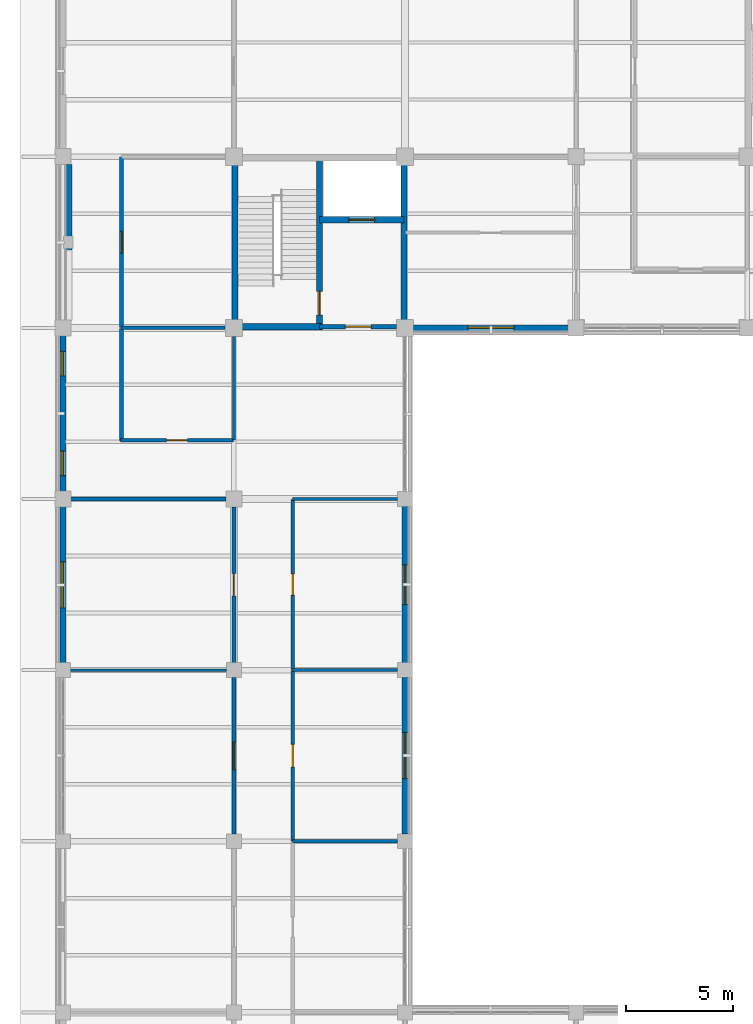
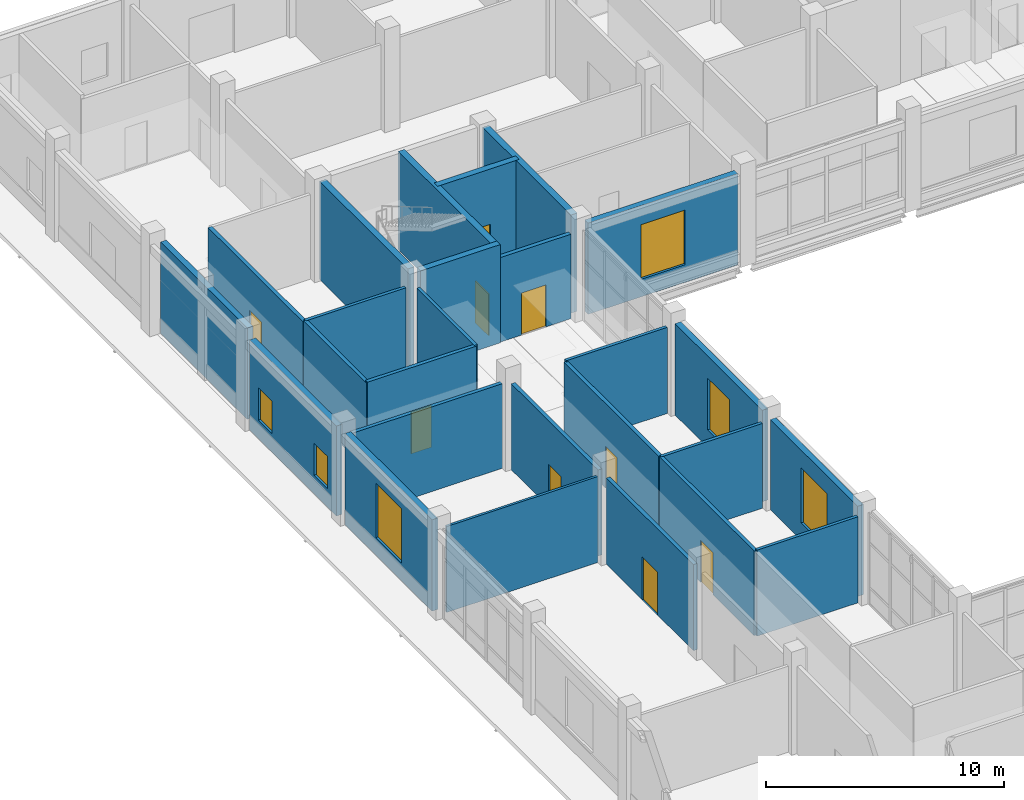
# One storey, part 68 of 105: 26 walls, 9 doors, 6 windows, 15 openings.
"""IFC4 building model written with IfcOpenShell, lengths in metres."""

from ifc_helpers import new_model, si_unit, derived_unit, direction, frame, frame_2d, origin, place, context, subcontext, project, spatial, rectangle, extrude, material, layer, layer_set, type_object, element, fill, save


model = new_model("IFC4")

# Units and contexts
model_context = context("Model", 3, precision=1e-05, world=origin(), true_north=direction((0.0, 1.0)))
body_context = subcontext(model_context, "Body", "Model", "MODEL_VIEW")
ifc_project = project(units=[si_unit("LENGTHUNIT", "METRE"), si_unit("AREAUNIT", "SQUARE_METRE"), si_unit("VOLUMEUNIT", "CUBIC_METRE"), si_unit("PLANEANGLEUNIT", "RADIAN"), si_unit("MASSUNIT", "GRAM", prefix="KILO"), derived_unit("THERMALTRANSMITTANCEUNIT", [(si_unit("MASSUNIT", "GRAM", prefix="KILO"), 1), (si_unit("TIMEUNIT", "SECOND"), -3), (si_unit("THERMODYNAMICTEMPERATUREUNIT", "KELVIN"), -1)])], contexts=[model_context])

# Site, building, storey
site_placement = place(None, origin())
site = spatial("IfcSite", under=ifc_project, at=site_placement, CompositionType="ELEMENT")
building_placement = place(site_placement, origin())
building = spatial("IfcBuilding", under=site, at=building_placement, Name="Veyamyaing Civic Hall", CompositionType="ELEMENT")
storey_placement = place(building_placement, origin())
storey = spatial("IfcBuildingStorey", under=building, at=storey_placement, Name="L00", CompositionType="ELEMENT", Elevation=0.0)

# Wall, opening, window
ifc_material_1 = material(Name="Precast concrete C40/50", Category="concrete")
ifc_layer_1 = layer(ifc_material_1, 0.280029296875, Name="Precast concrete C40/50")
ifc_layer_set_1 = layer_set([ifc_layer_1], Name="Precast concrete C40/50")
wall_type_1 = type_object("IfcWallType", Name="WT-04", PredefinedType="SOLIDWALL", material=ifc_layer_set_1)
wall_1_placement = place(storey_placement, frame((0.0, 72.3349609375, 0.0), z_axis=(0.0, 0.0, 1.0), x_axis=(0.0, 1.0, 0.0)))
wall_1 = element("IfcWall", 1, at=wall_1_placement, inside=storey, type_object=wall_type_1, Name="Exterior facade wall WT-04 L00 W 1.10", PredefinedType="SOLIDWALL", context=body_context, shape_type="SweptSolid", body=[
    extrude(rectangle(XDim=7.304931640625, YDim=0.280029296875, at=frame_2d((3.65234375, 0.0))), origin(), (0.0, 0.0, 1.0), 4.674072265625),
])
opening_1_placement = place(wall_1_placement, frame((2.577392578125, 0.0, 0.89990234375)))
opening_1 = element("IfcOpeningElement", 2, at=opening_1_placement, cuts=wall_1, Name="Opening W-02", PredefinedType="OPENING", context=body_context, shape_type="SweptSolid", body=[
    extrude(rectangle(XDim=2.14990234375, YDim=2.800048828125, at=frame_2d((1.074951171875, 1.39990234375))), frame((0.0, 0.14990234375, 0.0), z_axis=(0.0, -1.0, 0.0), x_axis=(1.0, 0.0, 0.0)), (0.0, 0.0, 1.0), 0.300048828125),
])
ifc_material_2 = material(Name="Low-E insulated glass", Category="glass")
window_type_1 = type_object("IfcWindowType", Name="W-02", PartitioningType="SINGLE_PANEL", PredefinedType="WINDOW", material=ifc_material_2)
window_1_placement = place(opening_1_placement, origin())
window_1 = element("IfcWindow", 3, at=window_1_placement, inside=storey, type_object=window_type_1, Name="Facade window W-02 L00 W 1.10", OverallHeight=2.800048828125, OverallWidth=2.14990234375, PartitioningType="SINGLE_PANEL", PredefinedType="WINDOW", context=body_context, shape_type="SweptSolid", body=[
    extrude(rectangle(XDim=2.14990234375, YDim=2.800048828125, at=frame_2d((1.074951171875, 1.39990234375))), frame((0.0, 0.030029296875, 0.0), z_axis=(0.0, -1.0, 0.0), x_axis=(1.0, 0.0, 0.0)), (0.0, 0.0, 1.0), 0.06005859375),
])
fill(opening_1, window_1)

# Wall, openings, windows
wall_2_placement = place(storey_placement, frame((0.0, 80.360107421875, 0.0), z_axis=(0.0, 0.0, 1.0), x_axis=(0.0, 1.0, 0.0)))
wall_2 = element("IfcWall", 4, at=wall_2_placement, inside=storey, type_object=wall_type_1, Name="Exterior facade wall WT-04 L00 W 1.11", PredefinedType="SOLIDWALL", context=body_context, shape_type="SweptSolid", body=[
    extrude(rectangle(XDim=7.27978515625, YDim=0.280029296875, at=frame_2d((3.639892578125, 0.0))), origin(), (0.0, 0.0, 1.0), 4.614013671875),
])
opening_2_placement = place(wall_2_placement, frame((0.7353515625, 0.0, 0.949951171875)))
opening_2 = element("IfcOpeningElement", 5, at=opening_2_placement, cuts=wall_2, Name="Opening W-32", PredefinedType="OPENING", context=body_context, shape_type="SweptSolid", body=[
    extrude(rectangle(XDim=1.14990234375, YDim=1.64990234375, at=frame_2d((0.574951171875, 0.824951171875))), frame((0.0, 0.14990234375, 0.0), z_axis=(0.0, -1.0, 0.0), x_axis=(1.0, 0.0, 0.0)), (0.0, 0.0, 1.0), 0.300048828125),
])
opening_3_placement = place(wall_2_placement, frame((5.39453125, 0.0, 0.949951171875)))
opening_3 = element("IfcOpeningElement", 6, at=opening_3_placement, cuts=wall_2, Name="Opening W-32", PredefinedType="OPENING", context=body_context, shape_type="SweptSolid", body=[
    extrude(rectangle(XDim=1.14990234375, YDim=1.64990234375, at=frame_2d((0.574951171875, 0.824951171875))), frame((0.0, 0.14990234375, 0.0), z_axis=(0.0, -1.0, 0.0), x_axis=(1.0, 0.0, 0.0)), (0.0, 0.0, 1.0), 0.300048828125),
])
window_type_2 = type_object("IfcWindowType", Name="W-32", PartitioningType="SINGLE_PANEL", PredefinedType="WINDOW", material=ifc_material_2)
window_2_placement = place(opening_2_placement, origin())
window_2 = element("IfcWindow", 7, at=window_2_placement, inside=storey, type_object=window_type_2, Name="Facade window W-32 L00 W 1.11.1", OverallHeight=1.64990234375, OverallWidth=1.14990234375, PartitioningType="SINGLE_PANEL", PredefinedType="WINDOW", context=body_context, shape_type="SweptSolid", body=[
    extrude(rectangle(XDim=1.14990234375, YDim=1.64990234375, at=frame_2d((0.574951171875, 0.824951171875))), frame((0.0, 0.030029296875, 0.0), z_axis=(0.0, -1.0, 0.0), x_axis=(1.0, 0.0, 0.0)), (0.0, 0.0, 1.0), 0.06005859375),
])
fill(opening_2, window_2)
window_3_placement = place(opening_3_placement, origin())
window_3 = element("IfcWindow", 8, at=window_3_placement, inside=storey, type_object=window_type_2, Name="Facade window W-32 L00 W 1.11.2", OverallHeight=1.64990234375, OverallWidth=1.14990234375, PartitioningType="SINGLE_PANEL", PredefinedType="WINDOW", context=body_context, shape_type="SweptSolid", body=[
    extrude(rectangle(XDim=1.14990234375, YDim=1.64990234375, at=frame_2d((0.574951171875, 0.824951171875))), frame((0.0, 0.030029296875, 0.0), z_axis=(0.0, -1.0, 0.0), x_axis=(1.0, 0.0, 0.0)), (0.0, 0.0, 1.0), 0.06005859375),
])
fill(opening_3, window_3)

# Wall
wall_3_placement = place(storey_placement, frame((0.300048828125, 88.360107421875, 0.0), z_axis=(0.0, 0.0, 1.0), x_axis=(0.0, 1.0, 0.0)))
element("IfcWall", 9, at=wall_3_placement, inside=storey, type_object=wall_type_1, Name="Exterior facade wall WT-04 L00 W 1.12", PredefinedType="SOLIDWALL", context=body_context, shape_type="SweptSolid", body=[
    extrude(rectangle(XDim=7.27978515625, YDim=0.280029296875, at=frame_2d((3.639892578125, 0.0))), origin(), (0.0, 0.0, 1.0), 4.677001953125),
])

# Wall, opening, window
wall_4_placement = place(storey_placement, frame((16.0, 64.3349609375, 0.0), z_axis=(0.0, 0.0, 1.0), x_axis=(0.0, 1.0, 0.0)))
wall_4 = element("IfcWall", 10, at=wall_4_placement, inside=storey, type_object=wall_type_1, Name="Exterior facade wall WT-04 L00 E 2.9", PredefinedType="SOLIDWALL", context=body_context, shape_type="SweptSolid", body=[
    extrude(rectangle(XDim=7.330078125, YDim=0.280029296875, at=frame_2d((3.6650390625, 0.0))), origin(), (0.0, 0.0, 1.0), 4.618896484375),
])
opening_4_placement = place(wall_4_placement, frame((2.590087890625, 0.0, 0.89990234375)))
opening_4 = element("IfcOpeningElement", 11, at=opening_4_placement, cuts=wall_4, Name="Opening W-02", PredefinedType="OPENING", context=body_context, shape_type="SweptSolid", body=[
    extrude(rectangle(XDim=2.14990234375, YDim=2.800048828125, at=frame_2d((1.074951171875, 1.39990234375))), frame((0.0, 0.14990234375, 0.0), z_axis=(0.0, -1.0, 0.0), x_axis=(1.0, 0.0, 0.0)), (0.0, 0.0, 1.0), 0.300048828125),
])
window_4_placement = place(opening_4_placement, origin())
window_4 = element("IfcWindow", 12, at=window_4_placement, inside=storey, type_object=window_type_1, Name="Facade window W-02 L00 E 2.9", OverallHeight=2.800048828125, OverallWidth=2.14990234375, PartitioningType="SINGLE_PANEL", PredefinedType="WINDOW", context=body_context, shape_type="SweptSolid", body=[
    extrude(rectangle(XDim=2.14990234375, YDim=2.800048828125, at=frame_2d((1.074951171875, 1.39990234375))), frame((0.0, 0.030029296875, 0.0), z_axis=(0.0, -1.0, 0.0), x_axis=(1.0, 0.0, 0.0)), (0.0, 0.0, 1.0), 0.06005859375),
])
fill(opening_4, window_4)

wall_5_placement = place(storey_placement, frame((16.0, 72.3349609375, 0.0), z_axis=(0.0, 0.0, 1.0), x_axis=(0.0, 1.0, 0.0)))
wall_5 = element("IfcWall", 13, at=wall_5_placement, inside=storey, type_object=wall_type_1, Name="Exterior facade wall WT-04 L00 E 2.10", PredefinedType="SOLIDWALL", context=body_context, shape_type="SweptSolid", body=[
    extrude(rectangle(XDim=7.330078125, YDim=0.280029296875, at=frame_2d((3.6650390625, 0.0))), origin(), (0.0, 0.0, 1.0), 4.681884765625),
])
opening_5_placement = place(wall_5_placement, frame((2.739990234375, 0.0, 0.89990234375)))
opening_5 = element("IfcOpeningElement", 14, at=opening_5_placement, cuts=wall_5, Name="Opening W-03", PredefinedType="OPENING", context=body_context, shape_type="SweptSolid", body=[
    extrude(rectangle(XDim=1.85009765625, YDim=2.64990234375, at=frame_2d((0.925048828125, 1.324951171875))), frame((0.0, 0.14990234375, 0.0), z_axis=(0.0, -1.0, 0.0), x_axis=(1.0, 0.0, 0.0)), (0.0, 0.0, 1.0), 0.300048828125),
])
window_type_3 = type_object("IfcWindowType", Name="W-03", PartitioningType="SINGLE_PANEL", PredefinedType="WINDOW", material=ifc_material_2)
window_5_placement = place(opening_5_placement, origin())
window_5 = element("IfcWindow", 15, at=window_5_placement, inside=storey, type_object=window_type_3, Name="Facade window W-03 L00 E 2.10", OverallHeight=2.64990234375, OverallWidth=1.85009765625, PartitioningType="SINGLE_PANEL", PredefinedType="WINDOW", context=body_context, shape_type="SweptSolid", body=[
    extrude(rectangle(XDim=1.85009765625, YDim=2.64990234375, at=frame_2d((0.925048828125, 1.324951171875))), frame((0.0, 0.030029296875, 0.0), z_axis=(0.0, -1.0, 0.0), x_axis=(1.0, 0.0, 0.0)), (0.0, 0.0, 1.0), 0.06005859375),
])
fill(opening_5, window_5)

wall_6_placement = place(storey_placement, frame((16.385009765625, 88.0, 0.0), z_axis=(0.0, 0.0, 1.0), x_axis=(1.0, 0.0, 0.0)))
wall_6 = element("IfcWall", 16, at=wall_6_placement, inside=storey, type_object=wall_type_1, Name="Exterior facade wall WT-04 L00 S 3.12", PredefinedType="SOLIDWALL", context=body_context, shape_type="SweptSolid", body=[
    extrude(rectangle(XDim=7.2548828125, YDim=0.280029296875, at=frame_2d((3.62744140625, 0.0))), origin(), (0.0, 0.0, 1.0), 4.674072265625),
])
opening_6_placement = place(wall_6_placement, frame((2.552490234375, 0.0, 0.89990234375)))
opening_6 = element("IfcOpeningElement", 17, at=opening_6_placement, cuts=wall_6, Name="Opening W-02", PredefinedType="OPENING", context=body_context, shape_type="SweptSolid", body=[
    extrude(rectangle(XDim=2.14990234375, YDim=2.800048828125, at=frame_2d((1.074951171875, 1.39990234375))), frame((0.0, 0.14990234375, 0.0), z_axis=(0.0, -1.0, 0.0), x_axis=(1.0, 0.0, 0.0)), (0.0, 0.0, 1.0), 0.300048828125),
])
window_6_placement = place(opening_6_placement, origin())
window_6 = element("IfcWindow", 18, at=window_6_placement, inside=storey, type_object=window_type_1, Name="Facade window W-02 L00 S 3.12", OverallHeight=2.800048828125, OverallWidth=2.14990234375, PartitioningType="SINGLE_PANEL", PredefinedType="WINDOW", context=body_context, shape_type="SweptSolid", body=[
    extrude(rectangle(XDim=2.14990234375, YDim=2.800048828125, at=frame_2d((1.074951171875, 1.39990234375))), frame((0.0, 0.030029296875, 0.0), z_axis=(0.0, -1.0, 0.0), x_axis=(1.0, 0.0, 0.0)), (0.0, 0.0, 1.0), 0.06005859375),
])
fill(opening_6, window_6)

# Walls
ifc_material_3 = material(Name="Concrete C40/50", Category="concrete")
ifc_layer_2 = layer(ifc_material_3, 0.300048828125, Name="Concrete C40/50")
ifc_layer_set_2 = layer_set([ifc_layer_2], Name="Concrete C40/50")
wall_type_2 = type_object("IfcWallType", Name="WT-05", PredefinedType="SHEAR", material=ifc_layer_set_2)
for number, where, z_axis, x_axis, name in (
    (19, (8.050048828125, 88.2900390625, 0.0), (0.0, 0.0, 1.0), (0.0, 1.0, 0.0), "Core shear wall WT-05 CORE-1 L00.W"),
    (20, (15.949951171875, 88.2900390625, 0.0), (0.0, 0.0, 1.0), (0.0, 1.0, 0.0), "Core shear wall WT-05 CORE-1 L00.E"),
):
    element("IfcWall", number, at=place(storey_placement, frame(where, z_axis=z_axis, x_axis=x_axis)), inside=storey, type_object=wall_type_2, Name=name, PredefinedType="SHEAR", context=body_context, shape_type="SweptSolid", body=[
        extrude(rectangle(XDim=7.419921875, YDim=0.300048828125, at=frame_2d((3.7099609375, 0.0))), origin(), (0.0, 0.0, 1.0), 5.034912109375),
    ])
wall_7_placement = place(storey_placement, frame((8.2900390625, 88.050048828125, 0.0), z_axis=(0.0, 0.0, 1.0), x_axis=(1.0, 0.0, 0.0)))
element("IfcWall", 21, at=wall_7_placement, inside=storey, type_object=wall_type_2, Name="Core shear wall WT-05 CORE-1 L00.SS", PredefinedType="SHEAR", context=body_context, shape_type="SweptSolid", body=[
    extrude(rectangle(XDim=3.85986328125, YDim=0.300048828125, at=frame_2d((1.929931640625, 0.0))), origin(), (0.0, 0.0, 1.0), 5.034912109375),
])

# Wall, opening, door
wall_8_placement = place(storey_placement, frame((12.0, 88.050048828125, 0.0), z_axis=(0.0, 0.0, 1.0), x_axis=(0.0, 1.0, 0.0)))
wall_8 = element("IfcWall", 22, at=wall_8_placement, inside=storey, type_object=wall_type_2, Name="Core shear wall WT-05 CORE-1 L00.MID", PredefinedType="SHEAR", context=body_context, shape_type="SweptSolid", body=[
    extrude(rectangle(XDim=7.89990234375, YDim=0.300048828125, at=frame_2d((3.949951171875, 0.0))), origin(), (0.0, 0.0, 1.0), 5.034912109375),
])
opening_7_placement = place(wall_8_placement, frame((0.550048828125, 0.0, 0.0)))
opening_7 = element("IfcOpeningElement", 23, at=opening_7_placement, cuts=wall_8, Name="Opening D-03", PredefinedType="OPENING", context=body_context, shape_type="SweptSolid", body=[
    extrude(rectangle(XDim=1.10009765625, YDim=2.14990234375, at=frame_2d((0.550048828125, 1.074951171875))), frame((0.0, 0.159912109375, 0.0), z_axis=(0.0, -1.0, 0.0), x_axis=(1.0, 0.0, 0.0)), (0.0, 0.0, 1.0), 0.320068359375),
])
ifc_material_4 = material(Name="Galvanized steel S355J2", Category="steel")
door_type_1 = type_object("IfcDoorType", Name="D-03", OperationType="NOTDEFINED", PredefinedType="DOOR", material=ifc_material_4)
door_1_placement = place(opening_7_placement, frame((1.10009765625, 0.0, 0.0), z_axis=(0.0, 0.0, 1.0), x_axis=(-1.0, 0.0, 0.0)))
door_1 = element("IfcDoor", 24, at=door_1_placement, inside=storey, type_object=door_type_1, Name="Exit stair fire door D-03 ST-01 L00", OperationType="SINGLE_SWING_RIGHT", OverallHeight=2.14990234375, OverallWidth=1.10009765625, PredefinedType="DOOR", context=body_context, shape_type="SweptSolid", body=[
    extrude(rectangle(XDim=1.10009765625, YDim=2.14990234375, at=frame_2d((0.550048828125, 1.074951171875))), frame((0.0, 0.02490234375, 0.0), z_axis=(0.0, -1.0, 0.0), x_axis=(1.0, 0.0, 0.0)), (0.0, 0.0, 1.0), 0.050048828125),
])
fill(opening_7, door_1)

wall_9_placement = place(storey_placement, frame((12.0, 93.050048828125, 0.0), z_axis=(0.0, 0.0, 1.0), x_axis=(1.0, 0.0, 0.0)))
wall_9 = element("IfcWall", 25, at=wall_9_placement, inside=storey, type_object=wall_type_2, Name="Core shear wall WT-05 CORE-1 L00.LFT", PredefinedType="SHEAR", context=body_context, shape_type="SweptSolid", body=[
    extrude(rectangle(XDim=3.949951171875, YDim=0.300048828125, at=frame_2d((1.97509765625, 0.0))), origin(), (0.0, 0.0, 1.0), 5.034912109375),
])
opening_8_placement = place(wall_9_placement, frame((1.375, 0.0, 0.0)))
opening_8 = element("IfcOpeningElement", 26, at=opening_8_placement, cuts=wall_9, Name="Opening LD-02", PredefinedType="OPENING", context=body_context, shape_type="SweptSolid", body=[
    extrude(rectangle(XDim=1.199951171875, YDim=2.199951171875, at=frame_2d((0.60009765625, 1.10009765625))), frame((0.0, 0.159912109375, 0.0), z_axis=(0.0, -1.0, 0.0), x_axis=(1.0, 0.0, 0.0)), (0.0, 0.0, 1.0), 0.320068359375),
])
door_type_2 = type_object("IfcDoorType", Name="LD-02", OperationType="SLIDING_TO_LEFT", PredefinedType="DOOR", material=ifc_material_4)
door_2_placement = place(opening_8_placement, origin())
door_2 = element("IfcDoor", 27, at=door_2_placement, inside=storey, type_object=door_type_2, Name="Lift sliding landing door LD-02 FL-01 L00", OperationType="SLIDING_TO_LEFT", OverallHeight=2.199951171875, OverallWidth=1.199951171875, PredefinedType="DOOR", context=body_context, shape_type="SweptSolid", body=[
    extrude(rectangle(XDim=1.199951171875, YDim=2.199951171875, at=frame_2d((0.60009765625, 1.10009765625))), frame((0.0, 0.02490234375, 0.0), z_axis=(0.0, -1.0, 0.0), x_axis=(1.0, 0.0, 0.0)), (0.0, 0.0, 1.0), 0.050048828125),
])
fill(opening_8, door_2)

ifc_layer_3 = layer(ifc_material_3, 0.199951171875, Name="Concrete C40/50")
ifc_layer_set_3 = layer_set([ifc_layer_3], Name="Concrete C40/50")
wall_type_3 = type_object("IfcWallType", Name="WT-06", PredefinedType="PARTITIONING", material=ifc_layer_set_3)
wall_10_placement = place(storey_placement, frame((12.0, 88.050048828125, 0.0), z_axis=(0.0, 0.0, 1.0), x_axis=(1.0, 0.0, 0.0)))
wall_10 = element("IfcWall", 28, at=wall_10_placement, inside=storey, type_object=wall_type_3, Name="Firefighting lift lobby wall WT-06 CORE-1 L00", PredefinedType="PARTITIONING", context=body_context, shape_type="SweptSolid", body=[
    extrude(rectangle(XDim=3.610107421875, YDim=0.199951171875, at=frame_2d((1.80517578125, 0.0))), origin(), (0.0, 0.0, 1.0), 4.326904296875),
])
opening_9_placement = place(wall_10_placement, frame((1.205078125, 0.0, 0.0)))
opening_9 = element("IfcOpeningElement", 29, at=opening_9_placement, cuts=wall_10, Name="Opening D-04", PredefinedType="OPENING", context=body_context, shape_type="SweptSolid", body=[
    extrude(rectangle(XDim=1.199951171875, YDim=2.14990234375, at=frame_2d((0.60009765625, 1.074951171875))), frame((0.0, 0.10986328125, 0.0), z_axis=(0.0, -1.0, 0.0), x_axis=(1.0, 0.0, 0.0)), (0.0, 0.0, 1.0), 0.219970703125),
])
door_type_3 = type_object("IfcDoorType", Name="D-04", OperationType="NOTDEFINED", PredefinedType="DOOR", material=ifc_material_4)
door_3_placement = place(opening_9_placement, frame((1.199951171875, 0.0, 0.0), z_axis=(0.0, 0.0, 1.0), x_axis=(-1.0, 0.0, 0.0)))
door_3 = element("IfcDoor", 30, at=door_3_placement, inside=storey, type_object=door_type_3, Name="Protected lobby fire door D-04 CORE-1 L00", OperationType="SINGLE_SWING_LEFT", OverallHeight=2.14990234375, OverallWidth=1.199951171875, PredefinedType="DOOR", context=body_context, shape_type="SweptSolid", body=[
    extrude(rectangle(XDim=1.199951171875, YDim=2.14990234375, at=frame_2d((0.60009765625, 1.074951171875))), frame((0.0, 0.02490234375, 0.0), z_axis=(0.0, -1.0, 0.0), x_axis=(1.0, 0.0, 0.0)), (0.0, 0.0, 1.0), 0.050048828125),
])
fill(opening_9, door_3)

ifc_material_5 = material(Name="Gypsum board on acoustic steel stud", Category="steel")
ifc_layer_4 = layer(ifc_material_5, 0.175048828125, Name="Gypsum board on acoustic steel stud")
ifc_layer_set_4 = layer_set([ifc_layer_4], Name="Gypsum board on acoustic steel stud")
wall_type_4 = type_object("IfcWallType", Name="WT-07", PredefinedType="PARTITIONING", material=ifc_layer_set_4)
wall_11_placement = place(storey_placement, frame((2.699951171875, 82.75, 0.0), z_axis=(0.0, 0.0, 1.0), x_axis=(1.0, 0.0, 0.0)))
wall_11 = element("IfcWall", 31, at=wall_11_placement, inside=storey, type_object=wall_type_4, Name="Corridor gallery partition WT-07 L00.1.1", PredefinedType="PARTITIONING", context=body_context, shape_type="SweptSolid", body=[
    extrude(rectangle(XDim=5.280029296875, YDim=0.175048828125, at=frame_2d((2.64013671875, 0.0))), origin(), (0.0, 0.0, 1.0), 4.470947265625),
])
opening_10_placement = place(wall_11_placement, frame((2.14990234375, 0.0, 0.0)))
opening_10 = element("IfcOpeningElement", 32, at=opening_10_placement, cuts=wall_11, Name="Opening D-14", PredefinedType="OPENING", context=body_context, shape_type="SweptSolid", body=[
    extrude(rectangle(XDim=0.97998046875, YDim=2.14990234375, at=frame_2d((0.489990234375, 1.074951171875))), frame((0.0, 0.097412109375, 0.0), z_axis=(0.0, -1.0, 0.0), x_axis=(1.0, 0.0, 0.0)), (0.0, 0.0, 1.0), 0.195068359375),
])
ifc_material_6 = material(Name="Teak-veneered acoustic timber", Category="wood")
door_type_4 = type_object("IfcDoorType", Name="D-14", OperationType="NOTDEFINED", PredefinedType="DOOR", material=ifc_material_6)
door_4_placement = place(opening_10_placement, origin())
door_4 = element("IfcDoor", 33, at=door_4_placement, inside=storey, type_object=door_type_4, Name="Gallery office door D-14 L00.1", OperationType="SINGLE_SWING_RIGHT", OverallHeight=2.14990234375, OverallWidth=0.97998046875, PredefinedType="DOOR", context=body_context, shape_type="SweptSolid", body=[
    extrude(rectangle(XDim=0.97998046875, YDim=2.14990234375, at=frame_2d((0.489990234375, 1.074951171875))), frame((0.0, 0.02490234375, 0.0), z_axis=(0.0, -1.0, 0.0), x_axis=(1.0, 0.0, 0.0)), (0.0, 0.0, 1.0), 0.050048828125),
])
fill(opening_10, door_4)

# Wall
wall_12_placement = place(storey_placement, frame((2.75, 82.699951171875, 0.0), z_axis=(0.0, 0.0, 1.0), x_axis=(0.0, 1.0, 0.0)))
element("IfcWall", 34, at=wall_12_placement, inside=storey, type_object=wall_type_4, Name="Corridor gallery partition WT-07 L00.1.2", PredefinedType="PARTITIONING", context=body_context, shape_type="SweptSolid", body=[
    extrude(rectangle(XDim=5.280029296875, YDim=0.175048828125, at=frame_2d((2.64013671875, 0.0))), origin(), (0.0, 0.0, 1.0), 4.404052734375),
])

# Wall, opening, door
wall_13_placement = place(storey_placement, frame((10.75, 64.02001953125, 0.0), z_axis=(0.0, 0.0, 1.0), x_axis=(0.0, 1.0, 0.0)))
wall_13 = element("IfcWall", 35, at=wall_13_placement, inside=storey, type_object=wall_type_4, Name="Corridor gallery partition WT-07 L00.9.1", PredefinedType="PARTITIONING", context=body_context, shape_type="SweptSolid", body=[
    extrude(rectangle(XDim=7.9599609375, YDim=0.175048828125, at=frame_2d((3.97998046875, 0.0))), origin(), (0.0, 0.0, 1.0), 4.341064453125),
])
opening_11_placement = place(wall_13_placement, frame((3.455078125, 0.0, 0.0)))
opening_11 = element("IfcOpeningElement", 36, at=opening_11_placement, cuts=wall_13, Name="Opening D-12", PredefinedType="OPENING", context=body_context, shape_type="SweptSolid", body=[
    extrude(rectangle(XDim=1.050048828125, YDim=2.14990234375, at=frame_2d((0.52490234375, 1.074951171875))), frame((0.0, 0.097412109375, 0.0), z_axis=(0.0, -1.0, 0.0), x_axis=(1.0, 0.0, 0.0)), (0.0, 0.0, 1.0), 0.195068359375),
])
door_type_5 = type_object("IfcDoorType", Name="D-12", OperationType="NOTDEFINED", PredefinedType="DOOR", material=ifc_material_6)
door_5_placement = place(opening_11_placement, frame((1.050048828125, 0.0, 0.0), z_axis=(0.0, 0.0, 1.0), x_axis=(-1.0, 0.0, 0.0)))
door_5 = element("IfcDoor", 37, at=door_5_placement, inside=storey, type_object=door_type_5, Name="Gallery office door D-12 L00.9", OperationType="SINGLE_SWING_RIGHT", OverallHeight=2.14990234375, OverallWidth=1.050048828125, PredefinedType="DOOR", context=body_context, shape_type="SweptSolid", body=[
    extrude(rectangle(XDim=1.050048828125, YDim=2.14990234375, at=frame_2d((0.52490234375, 1.074951171875))), frame((0.0, 0.02490234375, 0.0), z_axis=(0.0, -1.0, 0.0), x_axis=(1.0, 0.0, 0.0)), (0.0, 0.0, 1.0), 0.050048828125),
])
fill(opening_11, door_5)

# Walls
wall_14_placement = place(storey_placement, frame((0.364990234375, 80.0, 0.0), z_axis=(0.0, 0.0, 1.0), x_axis=(1.0, 0.0, 0.0)))
element("IfcWall", 38, at=wall_14_placement, inside=storey, type_object=wall_type_4, Name="Interior partition wall WT-07 L00.15", PredefinedType="PARTITIONING", context=body_context, shape_type="SweptSolid", body=[
    extrude(rectangle(XDim=7.27001953125, YDim=0.175048828125, at=frame_2d((3.635009765625, 0.0))), origin(), (0.0, 0.0, 1.0), 4.3359375),
])
ifc_material_7 = material(Name="Gypsum board on steel stud", Category="steel")
ifc_layer_5 = layer(ifc_material_7, 0.14990234375, Name="Gypsum board on steel stud")
ifc_layer_set_5 = layer_set([ifc_layer_5], Name="Gypsum board on steel stud")
wall_type_5 = type_object("IfcWallType", Name="WT-08", PredefinedType="PARTITIONING", material=ifc_layer_set_5)
wall_15_placement = place(storey_placement, frame((2.75, 88.0, 0.0), z_axis=(0.0, 0.0, 1.0), x_axis=(1.0, 0.0, 0.0)))
element("IfcWall", 39, at=wall_15_placement, inside=storey, type_object=wall_type_5, Name="Gallery office end partition WT-08 L00.1.1", PredefinedType="PARTITIONING", context=body_context, shape_type="SweptSolid", body=[
    extrude(rectangle(XDim=4.840087890625, YDim=0.14990234375, at=frame_2d((2.419921875, 0.0))), origin(), (0.0, 0.0, 1.0), 4.404052734375),
])
wall_16_placement = place(storey_placement, frame((8.0, 82.75, 0.0), z_axis=(0.0, 0.0, 1.0), x_axis=(0.0, 1.0, 0.0)))
element("IfcWall", 40, at=wall_16_placement, inside=storey, type_object=wall_type_5, Name="Gallery office end partition WT-08 L00.1.2", PredefinedType="PARTITIONING", context=body_context, shape_type="SweptSolid", body=[
    extrude(rectangle(XDim=4.840087890625, YDim=0.14990234375, at=frame_2d((2.419921875, 0.0))), origin(), (0.0, 0.0, 1.0), 4.470947265625),
])
wall_17_placement = place(storey_placement, frame((10.75, 64.0, 0.0), z_axis=(0.0, 0.0, 1.0), x_axis=(1.0, 0.0, 0.0)))
element("IfcWall", 41, at=wall_17_placement, inside=storey, type_object=wall_type_5, Name="Gallery office end partition WT-08 L00.8.2", PredefinedType="PARTITIONING", context=body_context, shape_type="SweptSolid", body=[
    extrude(rectangle(XDim=4.889892578125, YDim=0.14990234375, at=frame_2d((2.44482421875, 0.0))), origin(), (0.0, 0.0, 1.0), 4.407958984375),
])
wall_18_placement = place(storey_placement, frame((10.75, 72.0, 0.0), z_axis=(0.0, 0.0, 1.0), x_axis=(1.0, 0.0, 0.0)))
element("IfcWall", 42, at=wall_18_placement, inside=storey, type_object=wall_type_5, Name="Gallery office end partition WT-08 L00.9.2", PredefinedType="PARTITIONING", context=body_context, shape_type="SweptSolid", body=[
    extrude(rectangle(XDim=4.889892578125, YDim=0.14990234375, at=frame_2d((2.44482421875, 0.0))), origin(), (0.0, 0.0, 1.0), 4.341064453125),
])
wall_19_placement = place(storey_placement, frame((10.75, 80.0, 0.0), z_axis=(0.0, 0.0, 1.0), x_axis=(1.0, 0.0, 0.0)))
element("IfcWall", 43, at=wall_19_placement, inside=storey, type_object=wall_type_5, Name="Gallery office end partition WT-08 L00.10.2", PredefinedType="PARTITIONING", context=body_context, shape_type="SweptSolid", body=[
    extrude(rectangle(XDim=4.889892578125, YDim=0.14990234375, at=frame_2d((2.44482421875, 0.0))), origin(), (0.0, 0.0, 1.0), 4.408935546875),
])
ifc_layer_6 = layer(ifc_material_7, 0.1201171875, Name="Gypsum board on steel stud")
ifc_layer_set_6 = layer_set([ifc_layer_6], Name="Gypsum board on steel stud")
wall_type_6 = type_object("IfcWallType", Name="WT-16", PredefinedType="PARTITIONING", material=ifc_layer_set_6)
wall_20_placement = place(storey_placement, frame((0.340087890625, 72.0, 0.0), z_axis=(0.0, 0.0, 1.0), x_axis=(1.0, 0.0, 0.0)))
element("IfcWall", 44, at=wall_20_placement, inside=storey, type_object=wall_type_6, Name="Interior partition wall WT-16 L00.13", PredefinedType="PARTITIONING", context=body_context, shape_type="SweptSolid", body=[
    extrude(rectangle(XDim=7.31982421875, YDim=0.1201171875, at=frame_2d((3.659912109375, 0.0))), origin(), (0.0, 0.0, 1.0), 4.403076171875),
])

# Wall, opening, door
ifc_material_8 = material(Name="Gypsum board on double acoustic stud")
ifc_layer_7 = layer(ifc_material_8, 0.18505859375, Name="Gypsum board on double acoustic stud")
ifc_layer_set_7 = layer_set([ifc_layer_7], Name="Gypsum board on double acoustic stud")
wall_type_7 = type_object("IfcWallType", Name="WT-19", PredefinedType="PARTITIONING", material=ifc_layer_set_7)
wall_21_placement = place(storey_placement, frame((2.75, 88.02001953125, 0.0), z_axis=(0.0, 0.0, 1.0), x_axis=(0.0, 1.0, 0.0)))
wall_21 = element("IfcWall", 45, at=wall_21_placement, inside=storey, type_object=wall_type_7, Name="Corridor gallery partition WT-19 L00.2.1", PredefinedType="PARTITIONING", context=body_context, shape_type="SweptSolid", body=[
    extrude(rectangle(XDim=7.9599609375, YDim=0.18505859375, at=frame_2d((3.97998046875, 0.0))), origin(), (0.0, 0.0, 1.0), 4.326904296875),
])
opening_12_placement = place(wall_21_placement, frame((3.469970703125, 0.0, 0.0)))
opening_12 = element("IfcOpeningElement", 46, at=opening_12_placement, cuts=wall_21, Name="Opening D-19", PredefinedType="OPENING", context=body_context, shape_type="SweptSolid", body=[
    extrude(rectangle(XDim=1.02001953125, YDim=2.199951171875, at=frame_2d((0.510009765625, 1.10009765625))), frame((0.0, 0.1025390625, 0.0), z_axis=(0.0, -1.0, 0.0), x_axis=(1.0, 0.0, 0.0)), (0.0, 0.0, 1.0), 0.205078125),
])
door_type_6 = type_object("IfcDoorType", Name="D-19", OperationType="NOTDEFINED", PredefinedType="DOOR", material=ifc_material_6)
door_6_placement = place(opening_12_placement, frame((1.02001953125, 0.0, 0.0), z_axis=(0.0, 0.0, 1.0), x_axis=(-1.0, 0.0, 0.0)))
door_6 = element("IfcDoor", 47, at=door_6_placement, inside=storey, type_object=door_type_6, Name="Gallery office door D-19 L00.2", OperationType="SINGLE_SWING_LEFT", OverallHeight=2.199951171875, OverallWidth=1.02001953125, PredefinedType="DOOR", context=body_context, shape_type="SweptSolid", body=[
    extrude(rectangle(XDim=1.02001953125, YDim=2.199951171875, at=frame_2d((0.510009765625, 1.10009765625))), frame((0.0, 0.02490234375, 0.0), z_axis=(0.0, -1.0, 0.0), x_axis=(1.0, 0.0, 0.0)), (0.0, 0.0, 1.0), 0.050048828125),
])
fill(opening_12, door_6)

wall_22_placement = place(storey_placement, frame((10.75, 72.02001953125, 0.0), z_axis=(0.0, 0.0, 1.0), x_axis=(0.0, 1.0, 0.0)))
wall_22 = element("IfcWall", 48, at=wall_22_placement, inside=storey, type_object=wall_type_7, Name="Corridor gallery partition WT-19 L00.10.1", PredefinedType="PARTITIONING", context=body_context, shape_type="SweptSolid", body=[
    extrude(rectangle(XDim=7.9599609375, YDim=0.18505859375, at=frame_2d((3.97998046875, 0.0))), origin(), (0.0, 0.0, 1.0), 4.341064453125),
])
opening_13_placement = place(wall_22_placement, frame((3.47998046875, 0.0, 0.0)))
opening_13 = element("IfcOpeningElement", 49, at=opening_13_placement, cuts=wall_22, Name="Opening D-13", PredefinedType="OPENING", context=body_context, shape_type="SweptSolid", body=[
    extrude(rectangle(XDim=1.0, YDim=2.14990234375, at=frame_2d((0.5, 1.074951171875))), frame((0.0, 0.1025390625, 0.0), z_axis=(0.0, -1.0, 0.0), x_axis=(1.0, 0.0, 0.0)), (0.0, 0.0, 1.0), 0.205078125),
])
door_type_7 = type_object("IfcDoorType", Name="D-13", OperationType="NOTDEFINED", PredefinedType="DOOR", material=ifc_material_6)
door_7_placement = place(opening_13_placement, frame((1.0, 0.0, 0.0), z_axis=(0.0, 0.0, 1.0), x_axis=(-1.0, 0.0, 0.0)))
door_7 = element("IfcDoor", 50, at=door_7_placement, inside=storey, type_object=door_type_7, Name="Gallery office door D-13 L00.10", OperationType="SINGLE_SWING_LEFT", OverallHeight=2.14990234375, OverallWidth=1.0, PredefinedType="DOOR", context=body_context, shape_type="SweptSolid", body=[
    extrude(rectangle(XDim=1.0, YDim=2.14990234375, at=frame_2d((0.5, 1.074951171875))), frame((0.0, 0.02490234375, 0.0), z_axis=(0.0, -1.0, 0.0), x_axis=(1.0, 0.0, 0.0)), (0.0, 0.0, 1.0), 0.050048828125),
])
fill(opening_13, door_7)

wall_23_placement = place(storey_placement, frame((8.0, 64.340087890625, 0.0), z_axis=(0.0, 0.0, 1.0), x_axis=(0.0, 1.0, 0.0)))
wall_23 = element("IfcWall", 51, at=wall_23_placement, inside=storey, type_object=wall_type_7, Name="Interior partition wall WT-19 L00.12", PredefinedType="PARTITIONING", context=body_context, shape_type="SweptSolid", body=[
    extrude(rectangle(XDim=7.31982421875, YDim=0.18505859375, at=frame_2d((3.659912109375, 0.0))), origin(), (0.0, 0.0, 1.0), 4.412109375),
])
opening_14_placement = place(wall_23_placement, frame((3.010009765625, 0.0, 0.0)))
opening_14 = element("IfcOpeningElement", 52, at=opening_14_placement, cuts=wall_23, Name="Opening D-18", PredefinedType="OPENING", context=body_context, shape_type="SweptSolid", body=[
    extrude(rectangle(XDim=1.300048828125, YDim=2.199951171875, at=frame_2d((0.64990234375, 1.10009765625))), frame((0.0, 0.1025390625, 0.0), z_axis=(0.0, -1.0, 0.0), x_axis=(1.0, 0.0, 0.0)), (0.0, 0.0, 1.0), 0.205078125),
])
ifc_material_9 = material(Name="Anodised aluminium 6063-T6", Category="aluminium")
door_type_8 = type_object("IfcDoorType", Name="D-18", OperationType="DOUBLE_DOOR_SINGLE_SWING", PredefinedType="DOOR", material=ifc_material_9)
door_8_placement = place(opening_14_placement, origin())
door_8 = element("IfcDoor", 53, at=door_8_placement, inside=storey, type_object=door_type_8, Name="Interior door D-18 L00.12", OperationType="DOUBLE_DOOR_SINGLE_SWING", OverallHeight=2.199951171875, OverallWidth=1.300048828125, PredefinedType="DOOR", context=body_context, shape_type="SweptSolid", body=[
    extrude(rectangle(XDim=1.300048828125, YDim=2.199951171875, at=frame_2d((0.64990234375, 1.10009765625))), frame((0.0, 0.02490234375, 0.0), z_axis=(0.0, -1.0, 0.0), x_axis=(1.0, 0.0, 0.0)), (0.0, 0.0, 1.0), 0.050048828125),
])
fill(opening_14, door_8)

wall_24_placement = place(storey_placement, frame((8.0, 72.340087890625, 0.0), z_axis=(0.0, 0.0, 1.0), x_axis=(0.0, 1.0, 0.0)))
wall_24 = element("IfcWall", 54, at=wall_24_placement, inside=storey, type_object=wall_type_7, Name="Interior partition wall WT-19 L00.14", PredefinedType="PARTITIONING", context=body_context, shape_type="SweptSolid", body=[
    extrude(rectangle(XDim=7.294921875, YDim=0.18505859375, at=frame_2d((3.6474609375, 0.0))), origin(), (0.0, 0.0, 1.0), 4.404052734375),
])
opening_15_placement = place(wall_24_placement, frame((3.12744140625, 0.0, 0.0)))
opening_15 = element("IfcOpeningElement", 55, at=opening_15_placement, cuts=wall_24, Name="Opening D-24", PredefinedType="OPENING", context=body_context, shape_type="SweptSolid", body=[
    extrude(rectangle(XDim=1.0400390625, YDim=2.179931640625, at=frame_2d((0.52001953125, 1.08984375))), frame((0.0, 0.1025390625, 0.0), z_axis=(0.0, -1.0, 0.0), x_axis=(1.0, 0.0, 0.0)), (0.0, 0.0, 1.0), 0.205078125),
])
door_type_9 = type_object("IfcDoorType", Name="D-24", OperationType="NOTDEFINED", PredefinedType="DOOR", material=ifc_material_6)
door_9_placement = place(opening_15_placement, origin())
door_9 = element("IfcDoor", 56, at=door_9_placement, inside=storey, type_object=door_type_9, Name="Interior door D-24 L00.14", OperationType="SINGLE_SWING_LEFT", OverallHeight=2.179931640625, OverallWidth=1.0400390625, PredefinedType="DOOR", context=body_context, shape_type="SweptSolid", body=[
    extrude(rectangle(XDim=1.0400390625, YDim=2.179931640625, at=frame_2d((0.52001953125, 1.08984375))), frame((0.0, 0.02490234375, 0.0), z_axis=(0.0, -1.0, 0.0), x_axis=(1.0, 0.0, 0.0)), (0.0, 0.0, 1.0), 0.050048828125),
])
fill(opening_15, door_9)

save(model, "model.ifc")
